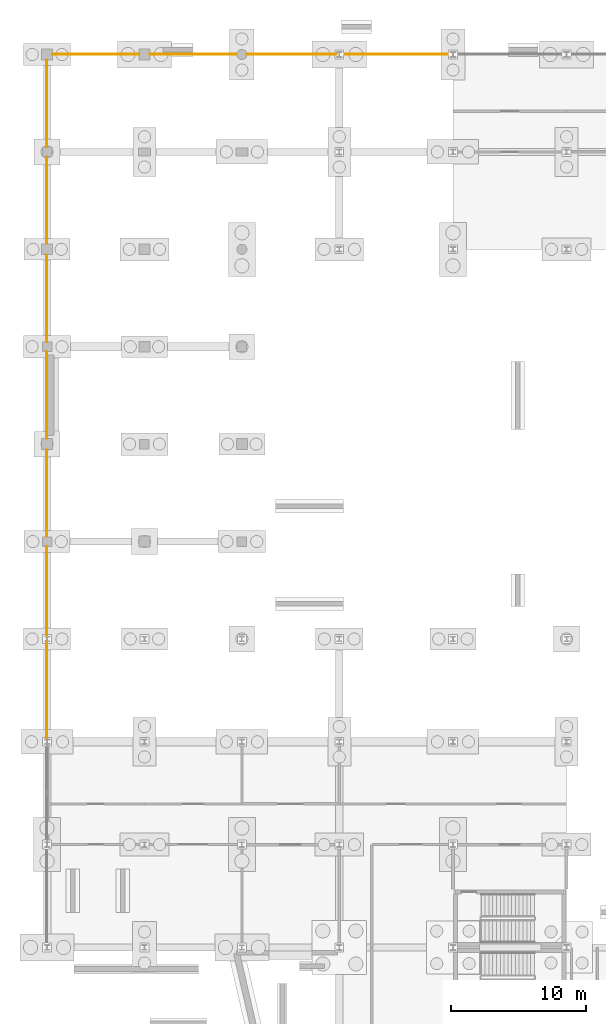
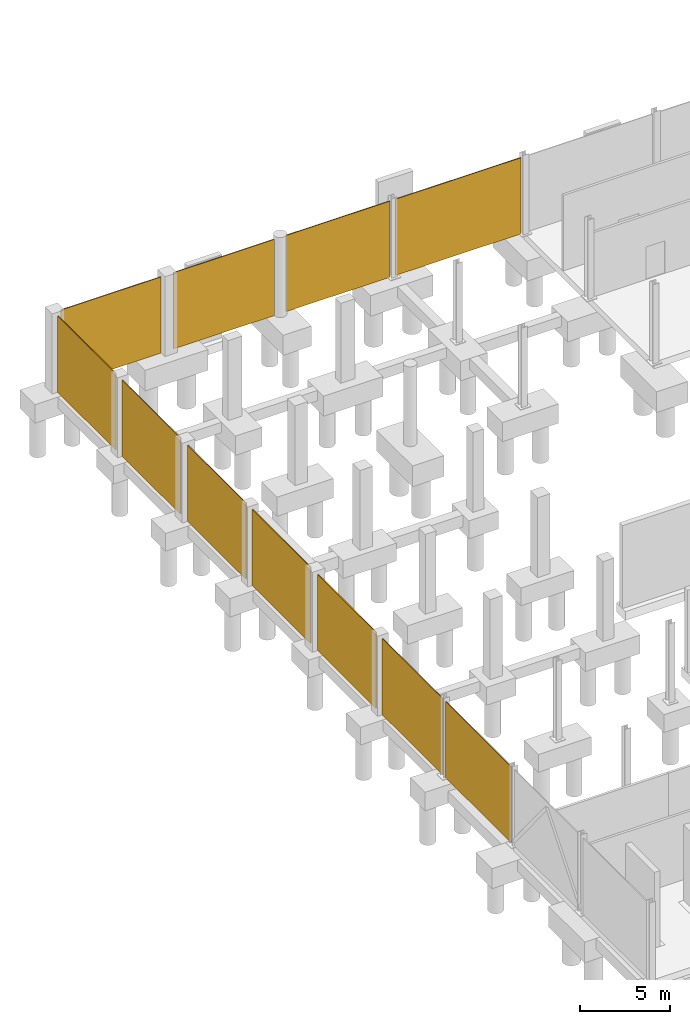
# One storey, part 55 of 61: 11 coverings.
"""IFC4 building model written with IfcOpenShell, lengths in metres."""

import ifcopenshell
import ifcopenshell.guid

model = None  # the IFC model being written
_history = None  # IfcOwnerHistory: only IFC2X3 demands one
_inside = {}  # id of a spatial element -> (the spatial element, [elements in it])
_under = {}  # id of a project, library or spatial element -> (it, [spatial elements below it])
_declared = {}  # id of a project -> (the project, [libraries it declares])
_typed = {}  # id of a type object -> (the type object, [elements of that type])
_made_of = {}  # id of a material, layer set ... -> (it, [elements and type objects made of it])


def new_model(schema):
    """Start an empty IFC model of exactly this schema.

    Asked for "IFC4X3", IfcOpenShell would pick the latest addendum, in which some entities
    have other attributes; the version numbers below select the first issue.
    IFC2X3 requires an IfcOwnerHistory on every rooted entity: one is made here for all.
    """
    global model, _history
    if schema == "IFC4X3":
        model = ifcopenshell.file(schema_version=(4, 3, 0, 0))
    else:
        model = ifcopenshell.file(schema=schema)
    _inside.clear()
    _under.clear()
    _declared.clear()
    _typed.clear()
    _made_of.clear()
    _history = None
    if model.schema == "IFC2X3":
        org = make("IfcOrganization", Name="unknown")
        user = make(
            "IfcPersonAndOrganization",
            ThePerson=make("IfcPerson", FamilyName="unknown"),
            TheOrganization=org,
        )
        app = make(
            "IfcApplication",
            ApplicationDeveloper=org,
            Version="unknown",
            ApplicationFullName="unknown",
            ApplicationIdentifier="unknown",
        )
        _history = make(
            "IfcOwnerHistory",
            OwningUser=user,
            OwningApplication=app,
            ChangeAction="ADDED",
            CreationDate=0,
        )
    return model


def make(cls, **values):
    """One entity of the class cls with the attributes given. An attribute that is None is left unset."""
    return model.create_entity(
        cls, **{name: value for name, value in values.items() if value is not None}
    )


def rooted(cls, **values):
    """An entity with a GlobalId (a new one), such as an element, a storey or a relation."""
    return make(cls, GlobalId=ifcopenshell.guid.new(), OwnerHistory=_history, **values)


def si_unit(unit_type, name, prefix=None):
    """IfcSIUnit, for example si_unit("LENGTHUNIT", "METRE", prefix="MILLI")."""
    return make("IfcSIUnit", UnitType=unit_type, Prefix=prefix, Name=name)


def assignment(units):
    """IfcUnitAssignment: the units of a project."""
    return None if units is None else make("IfcUnitAssignment", Units=units)


def point(xyz):
    """IfcCartesianPoint."""
    return None if xyz is None else make("IfcCartesianPoint", Coordinates=xyz)


def direction(xyz):
    """IfcDirection."""
    return None if xyz is None else make("IfcDirection", DirectionRatios=xyz)


def frame(location, z_axis=None, x_axis=None):
    """IfcAxis2Placement3D, a coordinate frame: its origin and axes. An axis left out is left unset."""
    return make(
        "IfcAxis2Placement3D",
        Location=point(location),
        Axis=direction(z_axis),
        RefDirection=direction(x_axis),
    )


def origin():
    """The frame at (0, 0, 0) with its axes left unset."""
    return frame((0.0, 0.0, 0.0))


def place(relative_to, where):
    """IfcLocalPlacement: puts the frame where relative to a parent placement (None: the world)."""
    return make(
        "IfcLocalPlacement", PlacementRelTo=relative_to, RelativePlacement=where
    )


def context(
    kind, dimensions, precision=None, world=None, true_north=None, identifier=None
):
    """IfcGeometricRepresentationContext, for example the 3D "Model" context."""
    return make(
        "IfcGeometricRepresentationContext",
        ContextIdentifier=identifier,
        ContextType=kind,
        CoordinateSpaceDimension=dimensions,
        Precision=precision,
        WorldCoordinateSystem=world,
        TrueNorth=true_north,
    )


def subcontext(parent, identifier, kind, view, scale=None):
    """IfcGeometricRepresentationSubContext, for example "Body" below "Model"."""
    return make(
        "IfcGeometricRepresentationSubContext",
        ContextIdentifier=identifier,
        ContextType=kind,
        ParentContext=parent,
        TargetScale=scale,
        TargetView=view,
    )


def project(units=None, contexts=None):
    """IfcProject with its units and contexts."""
    return rooted(
        "IfcProject",
        Name="project",
        RepresentationContexts=contexts,
        UnitsInContext=assignment(units),
    )


def spatial(cls, under=None, at=None, **own):
    """A site, building, storey or space (cls), placed at a placement, below another one or the project."""
    s = rooted(cls, ObjectPlacement=at, **own)
    if under is not None:
        _under.setdefault(under.id(), (under, []))[1].append(s)
    return s


def polyline(points):
    """IfcPolyline through the points."""
    return make("IfcPolyline", Points=[point(p) for p in points])


def outline(outer, holes=None, kind="AREA"):
    """IfcArbitraryClosedProfileDef: a profile drawn as a closed curve; with holes, ...WithVoids."""
    if holes is None:
        return make("IfcArbitraryClosedProfileDef", ProfileType=kind, OuterCurve=outer)
    return make(
        "IfcArbitraryProfileDefWithVoids",
        ProfileType=kind,
        OuterCurve=outer,
        InnerCurves=holes,
    )


def extrude(swept, where, along, depth):
    """IfcExtrudedAreaSolid: the profile swept, set in the frame where, extruded along a direction by depth."""
    return make(
        "IfcExtrudedAreaSolid",
        SweptArea=swept,
        Position=where,
        ExtrudedDirection=direction(along),
        Depth=depth,
    )


def shape(context_of_items, identifier, shape_type, items):
    """IfcShapeRepresentation: the items that make up one representation, for example the "Body"."""
    return make(
        "IfcShapeRepresentation",
        ContextOfItems=context_of_items,
        RepresentationIdentifier=identifier,
        RepresentationType=shape_type,
        Items=items,
    )


def material(Name=None, Category=None):
    """IfcMaterial."""
    return make("IfcMaterial", Name=Name, Category=Category)


def layer(
    of_material, thickness, ventilated=None, Name=None, Category=None, Priority=None
):
    """IfcMaterialLayer: one layer of a wall or slab, of a material (None: an air gap)."""
    return make(
        "IfcMaterialLayer",
        Material=of_material,
        LayerThickness=thickness,
        IsVentilated=ventilated,
        Name=Name,
        Category=Category,
        Priority=Priority,
    )


def layer_set(layers, Name=None):
    """IfcMaterialLayerSet."""
    return make("IfcMaterialLayerSet", MaterialLayers=layers, LayerSetName=Name)


def made_of(thing, what):
    """Note that an element or type object is made of a material, layer set ...; save() writes the relation."""
    if what is not None:
        _made_of.setdefault(what.id(), (what, []))[1].append(thing)
    return thing


def type_object(cls, material=None, **own):
    """A type object (cls), such as IfcWallType, which elements share."""
    return made_of(rooted(cls, **own), material)


def element(
    cls,
    number,
    at=None,
    inside=None,
    cuts=None,
    type_object=None,
    material=None,
    context=None,
    identifier="Body",
    shape_type=None,
    held_by="IfcProductDefinitionShape",
    body=None,
    shapes=None,
    **own,
):
    """One element of the class cls, such as IfcWall. Its Tag is "e" and its number.

    at: its placement. inside: the storey or other place that contains it. cuts: it is an
    opening in that element (IfcRelVoidsElement). A single representation is given by context,
    identifier, shape_type and body (its items); several are given by shapes. held_by: the class
    of the entity that holds the representations. save() writes the other relations.
    """
    e = rooted(cls, Tag="e%d" % number, ObjectPlacement=at, **own)
    if body is not None:
        shapes = [shape(context, identifier, shape_type, body)]
    if shapes is not None:
        e.Representation = make(held_by, Representations=shapes)
    if inside is not None:
        _inside.setdefault(inside.id(), (inside, []))[1].append(e)
    if cuts is not None:
        rooted(
            "IfcRelVoidsElement", RelatingBuildingElement=cuts, RelatedOpeningElement=e
        )
    if type_object is not None:
        _typed.setdefault(type_object.id(), (type_object, []))[1].append(e)
    return made_of(e, material)


def aggregate(whole, parts):
    """IfcRelAggregates: a whole, such as a stair, and the parts it consists of."""
    return rooted("IfcRelAggregates", RelatingObject=whole, RelatedObjects=parts)


def save(model, path):
    """Write the relations noted so far, then the file.

    IfcRelAggregates (storeys below a building ...), IfcRelContainedInSpatialStructure (elements
    in a storey), IfcRelDefinesByType, IfcRelAssociatesMaterial and IfcRelDeclares: one each for
    every whole, place, type object, material and project.
    """
    for whole, parts in _under.values():
        aggregate(whole, parts)
    for where, things in _inside.values():
        rooted(
            "IfcRelContainedInSpatialStructure",
            RelatedElements=things,
            RelatingStructure=where,
        )
    for kind, things in _typed.values():
        rooted("IfcRelDefinesByType", RelatedObjects=things, RelatingType=kind)
    for what, things in _made_of.values():
        rooted("IfcRelAssociatesMaterial", RelatedObjects=things, RelatingMaterial=what)
    for by, libraries in _declared.values():
        rooted("IfcRelDeclares", RelatingContext=by, RelatedDefinitions=libraries)
    model.write(path)


model = new_model("IFC4")

# Units and contexts
model_context = context("Model", 3, precision=1e-05, world=origin(), true_north=direction((0.0, 1.0)))
body_context = subcontext(model_context, "Body", "Model", "MODEL_VIEW")
ifc_project = project(units=[si_unit("LENGTHUNIT", "METRE"), si_unit("AREAUNIT", "SQUARE_METRE"), si_unit("VOLUMEUNIT", "CUBIC_METRE"), si_unit("PLANEANGLEUNIT", "RADIAN"), si_unit("MASSUNIT", "GRAM", prefix="KILO")], contexts=[model_context])

# Site, building, storey
site_placement = place(None, origin())
site = spatial("IfcSite", under=ifc_project, at=site_placement, CompositionType="ELEMENT")
building_placement = place(site_placement, origin())
building = spatial("IfcBuilding", under=site, at=building_placement, Name="Calvrana Isthmian Art Gallery", CompositionType="ELEMENT")
storey_placement = place(building_placement, frame((0.0, 0.0, -5.39990234375)))
storey = spatial("IfcBuildingStorey", under=building, at=storey_placement, Name="B1", CompositionType="ELEMENT", Elevation=-5.39990234375)

# Coverings
ifc_material = material(Name="Pale Isthmian limestone", Category="masonry")
ifc_layer = layer(ifc_material, 0.06005859375, Name="Pale Isthmian limestone")
ifc_layer_set = layer_set([ifc_layer], Name="Pale Isthmian limestone")
covering_type = type_object("IfcCoveringType", Name="COV-PLINTH-LIME", PredefinedType="CLADDING", material=ifc_layer_set)
covering_1_placement = place(storey_placement, origin())
element("IfcCovering", 1, at=covering_1_placement, inside=storey, type_object=covering_type, Name="Limestone basement plinth panel X-014", PredefinedType="CLADDING", context=body_context, shape_type="SweptSolid", body=[
    extrude(outline(polyline([(0.39794921875, 112.800048828125), (6.802001953125, 112.800048828125), (6.802001953125, 112.860107421875), (0.39794921875, 112.860107421875), (0.39794921875, 112.800048828125)])), origin(), (0.0, 0.0, 1.0), 5.14990234375),
])
covering_2_placement = place(storey_placement, origin())
element("IfcCovering", 2, at=covering_2_placement, inside=storey, type_object=covering_type, Name="Limestone basement plinth panel X-015", PredefinedType="CLADDING", context=body_context, shape_type="SweptSolid", body=[
    extrude(outline(polyline([(7.597900390625, 112.800048828125), (14.027099609375, 112.800048828125), (14.027099609375, 112.860107421875), (7.597900390625, 112.860107421875), (7.597900390625, 112.800048828125)])), origin(), (0.0, 0.0, 1.0), 5.14990234375),
])
covering_3_placement = place(storey_placement, origin())
element("IfcCovering", 3, at=covering_3_placement, inside=storey, type_object=covering_type, Name="Limestone basement plinth panel X-016", PredefinedType="CLADDING", context=body_context, shape_type="SweptSolid", body=[
    extrude(outline(polyline([(14.77294921875, 112.800048828125), (21.41552734375, 112.800048828125), (21.41552734375, 112.860107421875), (14.77294921875, 112.860107421875), (14.77294921875, 112.800048828125)])), origin(), (0.0, 0.0, 1.0), 5.14990234375),
])
covering_4_placement = place(storey_placement, origin())
element("IfcCovering", 4, at=covering_4_placement, inside=storey, type_object=covering_type, Name="Limestone basement plinth panel X-017", PredefinedType="CLADDING", context=body_context, shape_type="SweptSolid", body=[
    extrude(outline(polyline([(21.784423828125, 112.800048828125), (29.802490234375, 112.800048828125), (29.802490234375, 112.860107421875), (21.784423828125, 112.860107421875), (21.784423828125, 112.800048828125)])), origin(), (0.0, 0.0, 1.0), 5.14990234375),
])
covering_5_placement = place(storey_placement, origin())
element("IfcCovering", 5, at=covering_5_placement, inside=storey, type_object=covering_type, Name="Limestone basement plinth panel Y-029", PredefinedType="CLADDING", context=body_context, shape_type="SweptSolid", body=[
    extrude(outline(polyline([(-0.06005859375, 62.176025390625), (0.0, 62.176025390625), (0.0, 69.42041015625), (-0.06005859375, 69.42041015625), (-0.06005859375, 62.176025390625)])), origin(), (0.0, 0.0, 1.0), 5.14990234375),
])
covering_6_placement = place(storey_placement, origin())
element("IfcCovering", 6, at=covering_6_placement, inside=storey, type_object=covering_type, Name="Limestone basement plinth panel Y-030", PredefinedType="CLADDING", context=body_context, shape_type="SweptSolid", body=[
    extrude(outline(polyline([(-0.06005859375, 69.779541015625), (0.0, 69.779541015625), (0.0, 76.451904296875), (-0.06005859375, 76.451904296875), (-0.06005859375, 69.779541015625)])), origin(), (0.0, 0.0, 1.0), 5.14990234375),
])
covering_7_placement = place(storey_placement, origin())
element("IfcCovering", 7, at=covering_7_placement, inside=storey, type_object=covering_type, Name="Limestone basement plinth panel Y-031", PredefinedType="CLADDING", context=body_context, shape_type="SweptSolid", body=[
    extrude(outline(polyline([(-0.06005859375, 77.14794921875), (0.0, 77.14794921875), (0.0, 83.60205078125), (-0.06005859375, 83.60205078125), (-0.06005859375, 77.14794921875)])), origin(), (0.0, 0.0, 1.0), 5.14990234375),
])
covering_8_placement = place(storey_placement, origin())
element("IfcCovering", 8, at=covering_8_placement, inside=storey, type_object=covering_type, Name="Limestone basement plinth panel Y-032", PredefinedType="CLADDING", context=body_context, shape_type="SweptSolid", body=[
    extrude(outline(polyline([(-0.06005859375, 84.39794921875), (0.0, 84.39794921875), (0.0, 90.85205078125), (-0.06005859375, 90.85205078125), (-0.06005859375, 84.39794921875)])), origin(), (0.0, 0.0, 1.0), 5.14990234375),
])
covering_9_placement = place(storey_placement, origin())
element("IfcCovering", 9, at=covering_9_placement, inside=storey, type_object=covering_type, Name="Limestone basement plinth panel Y-033", PredefinedType="CLADDING", context=body_context, shape_type="SweptSolid", body=[
    extrude(outline(polyline([(-0.06005859375, 91.548095703125), (0.0, 91.548095703125), (0.0, 98.001953125), (-0.06005859375, 98.001953125), (-0.06005859375, 91.548095703125)])), origin(), (0.0, 0.0, 1.0), 5.14990234375),
])
covering_10_placement = place(storey_placement, origin())
element("IfcCovering", 10, at=covering_10_placement, inside=storey, type_object=covering_type, Name="Limestone basement plinth panel Y-034", PredefinedType="CLADDING", context=body_context, shape_type="SweptSolid", body=[
    extrude(outline(polyline([(-0.06005859375, 98.798095703125), (0.0, 98.798095703125), (0.0, 105.251953125), (-0.06005859375, 105.251953125), (-0.06005859375, 98.798095703125)])), origin(), (0.0, 0.0, 1.0), 5.14990234375),
])
covering_11_placement = place(storey_placement, origin())
element("IfcCovering", 11, at=covering_11_placement, inside=storey, type_object=covering_type, Name="Limestone basement plinth panel Y-035", PredefinedType="CLADDING", context=body_context, shape_type="SweptSolid", body=[
    extrude(outline(polyline([(-0.06005859375, 105.947998046875), (0.0, 105.947998046875), (0.0, 112.402099609375), (-0.06005859375, 112.402099609375), (-0.06005859375, 105.947998046875)])), origin(), (0.0, 0.0, 1.0), 5.14990234375),
])

save(model, "model.ifc")
